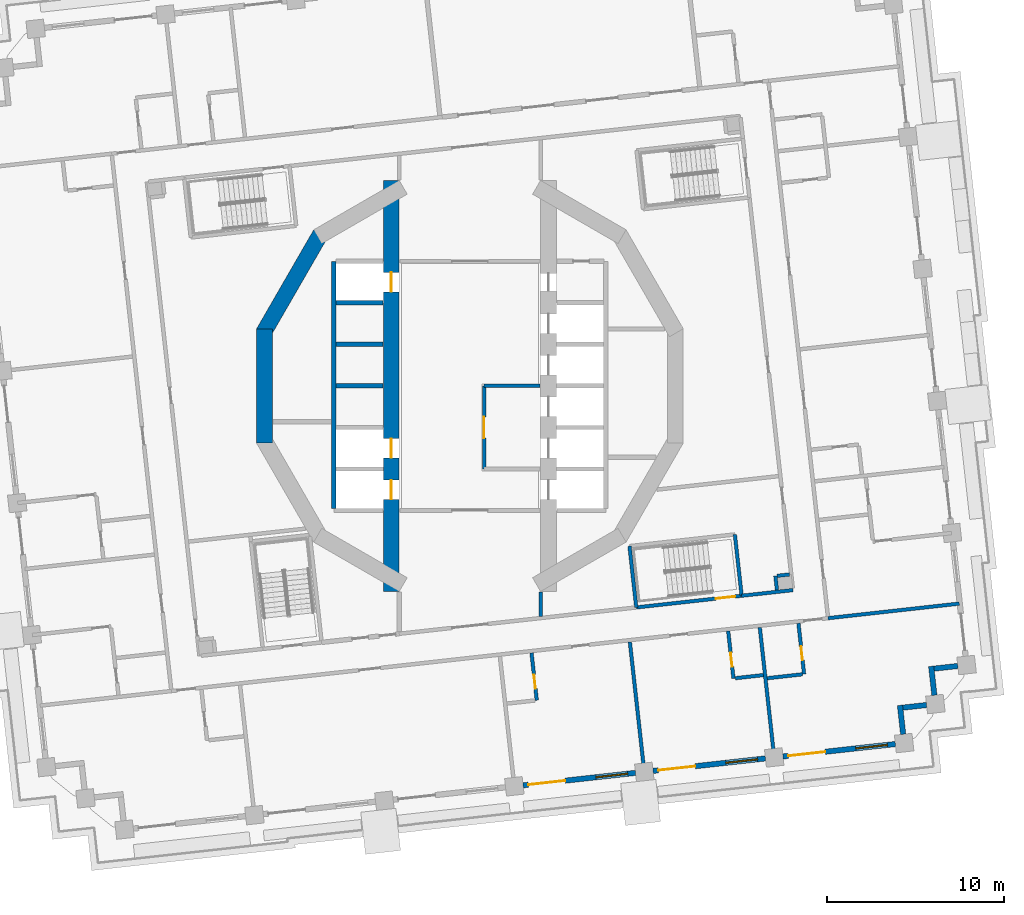
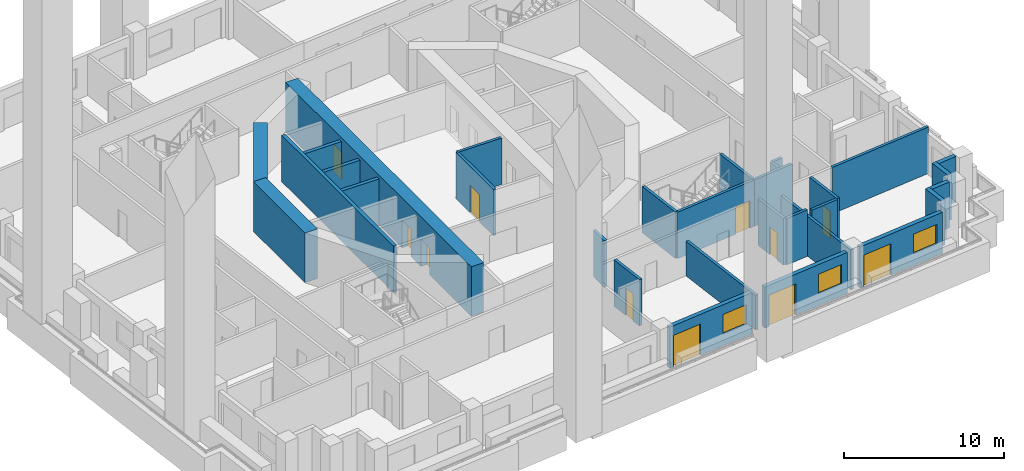
# One storey, part 5 of 20: 31 walls, 11 doors, 3 windows, 14 openings.
"""IFC4 building model written with IfcOpenShell, lengths in metres."""

from ifc_helpers import new_model, si_unit, direction, frame, frame_2d, origin, place, context, subcontext, project, spatial, rectangle, extrude, material, layer, layer_set, type_object, element, fill, save


model = new_model("IFC4")

# Units and contexts
model_context = context("Model", 3, precision=1e-05, world=origin(), true_north=direction((0.0, 1.0)))
body_context = subcontext(model_context, "Body", "Model", "MODEL_VIEW")
ifc_project = project(units=[si_unit("LENGTHUNIT", "METRE"), si_unit("AREAUNIT", "SQUARE_METRE"), si_unit("VOLUMEUNIT", "CUBIC_METRE"), si_unit("PLANEANGLEUNIT", "RADIAN"), si_unit("MASSUNIT", "GRAM", prefix="KILO")], contexts=[model_context])

# Site, building, storey
site_placement = place(None, origin())
site = spatial("IfcSite", under=ifc_project, at=site_placement, CompositionType="ELEMENT")
building_placement = place(site_placement, origin())
building = spatial("IfcBuilding", under=site, at=building_placement, Name="Cantera Rosa Tower", CompositionType="ELEMENT")
storey_placement = place(building_placement, frame((0.0, 0.0, 42.5)))
storey = spatial("IfcBuildingStorey", under=building, at=storey_placement, Name="L07", CompositionType="ELEMENT", Elevation=42.5)

# Walls
ifc_material_1 = material(Name="Gypsum board partition")
ifc_layer_1 = layer(ifc_material_1, 0.199951171875)
ifc_layer_set_1 = layer_set([ifc_layer_1], Name="CORRIDOR WALL 200 H3550")
wall_type_1 = type_object("IfcWallType", Name="CORRIDOR WALL 200 H3550", PredefinedType="PARTITIONING", material=ifc_layer_set_1)
wall_1_placement = place(storey_placement, frame((4.0, -13.038818359375, 0.0), z_axis=(0.0, 0.0, 1.0), x_axis=(0.0, 1.0, 0.0)))
element("IfcWall", 1, at=wall_1_placement, inside=storey, type_object=wall_type_1, Name="CORRIDOR WALL L07-063", PredefinedType="PARTITIONING", context=body_context, shape_type="SweptSolid", body=[
    extrude(rectangle(XDim=1.37158203125, YDim=0.199951171875, at=frame_2d((0.685791015625, 0.0))), origin(), (0.0, 0.0, 1.0), 3.550048828125),
])
wall_2_placement = place(storey_placement, frame((15.382080078125, -11.87548828125, 0.0), z_axis=(0.0, 0.0, 1.0), x_axis=(0.993899009794, 0.110293963256, 0.0)))
element("IfcWall", 2, at=wall_2_placement, inside=storey, type_object=wall_type_1, Name="CORRIDOR WALL L07-089", PredefinedType="PARTITIONING", context=body_context, shape_type="SweptSolid", body=[
    extrude(rectangle(XDim=2.921875, YDim=0.199951171875, at=frame_2d((1.4609375, 0.0))), origin(), (0.0, 0.0, 1.0), 3.550048828125),
])
ifc_material_2 = material(Name="Hollow clay masonry with cantera stone cladding", Category="masonry")
ifc_layer_2 = layer(ifc_material_2, 0.300048828125)
ifc_layer_set_2 = layer_set([ifc_layer_2], Name="EW-LOGGIA 300")
wall_type_2 = type_object("IfcWallType", Name="EW-LOGGIA 300", PredefinedType="SOLIDWALL", material=ifc_layer_set_2)
wall_3_placement = place(storey_placement, frame((24.5244140625, -19.71484375, 0.0), z_axis=(0.0, 0.0, 1.0), x_axis=(-0.110236638423, 0.993905369514, 0.0)))
element("IfcWall", 3, at=wall_3_placement, inside=storey, type_object=wall_type_2, Name="EN-L07-W29a", PredefinedType="SOLIDWALL", context=body_context, shape_type="SweptSolid", body=[
    extrude(rectangle(XDim=1.64990234375, YDim=0.300048828125, at=frame_2d((0.824951171875, 0.0))), origin(), (0.0, 0.0, 1.0), 3.5),
])
wall_4_placement = place(storey_placement, frame((24.508056640625, -18.20751953125, 0.0), z_axis=(0.0, 0.0, 1.0), x_axis=(0.993896959738, 0.110312435488, 0.0)))
element("IfcWall", 4, at=wall_4_placement, inside=storey, type_object=wall_type_2, Name="EN-L07-W29b", PredefinedType="SOLIDWALL", context=body_context, shape_type="SweptSolid", body=[
    extrude(rectangle(XDim=1.35009765625, YDim=0.300048828125, at=frame_2d((0.675048828125, 0.0))), origin(), (0.0, 0.0, 1.0), 3.5),
])
wall_5_placement = place(storey_placement, frame((26.291748046875, -17.506591796875, 0.0), z_axis=(0.0, 0.0, 1.0), x_axis=(-0.110382805355, 0.993889146878, 0.0)))
element("IfcWall", 5, at=wall_5_placement, inside=storey, type_object=wall_type_2, Name="EN-L07-W30a", PredefinedType="SOLIDWALL", context=body_context, shape_type="SweptSolid", body=[
    extrude(rectangle(XDim=1.64990234375, YDim=0.300048828125, at=frame_2d((0.824951171875, 0.0))), origin(), (0.0, 0.0, 1.0), 3.5),
])
wall_6_placement = place(storey_placement, frame((26.275146484375, -15.999267578125, 0.0), z_axis=(0.0, 0.0, 1.0), x_axis=(0.993896959738, 0.110312435488, 0.0)))
element("IfcWall", 6, at=wall_6_placement, inside=storey, type_object=wall_type_2, Name="EN-L07-W30b", PredefinedType="SOLIDWALL", context=body_context, shape_type="SweptSolid", body=[
    extrude(rectangle(XDim=1.35009765625, YDim=0.300048828125, at=frame_2d((0.675048828125, 0.0))), origin(), (0.0, 0.0, 1.0), 3.5),
])

# Wall, openings, window, door
ifc_material_3 = material(Name="Hollow clay masonry with cantera stone cladding", Category="masonry")
ifc_layer_3 = layer(ifc_material_3, 0.300048828125)
ifc_layer_set_3 = layer_set([ifc_layer_3], Name="EW-LOGGIA 300 H3140")
wall_type_3 = type_object("IfcWallType", Name="EW-LOGGIA 300 H3140", PredefinedType="SOLIDWALL", material=ifc_layer_set_3)
wall_7_placement = place(storey_placement, frame((3.011962890625, -22.605712890625, 0.0), z_axis=(0.0, 0.0, 1.0), x_axis=(0.993896288542, 0.110318482689, 0.0)))
wall_7 = element("IfcWall", 7, at=wall_7_placement, inside=storey, type_object=wall_type_3, Name="EN-L07-W26", PredefinedType="SOLIDWALL", context=body_context, shape_type="SweptSolid", body=[
    extrude(rectangle(XDim=6.400146484375, YDim=0.300048828125, at=frame_2d((3.2001953125, 0.0))), origin(), (0.0, 0.0, 1.0), 3.139892578125),
])
opening_1_placement = place(wall_7_placement, frame((0.300048828125, 0.0, 0.0)))
opening_1 = element("IfcOpeningElement", 8, at=opening_1_placement, cuts=wall_7, Name="Opening L07-TD35", PredefinedType="OPENING", context=body_context, shape_type="SweptSolid", body=[
    extrude(rectangle(XDim=2.10009765625, YDim=2.39990234375, at=frame_2d((1.050048828125, 1.199951171875))), frame((0.0, 0.159912109375, 0.0), z_axis=(0.0, -1.0, 0.0), x_axis=(1.0, 0.0, 0.0)), (0.0, 0.0, 1.0), 0.320068359375),
])
opening_2_placement = place(wall_7_placement, frame((4.14990234375, 0.0, 0.89990234375)))
opening_2 = element("IfcOpeningElement", 9, at=opening_2_placement, cuts=wall_7, Name="Opening L07-W36", PredefinedType="OPENING", context=body_context, shape_type="SweptSolid", body=[
    extrude(rectangle(XDim=1.800048828125, YDim=1.5, at=frame_2d((0.89990234375, 0.75))), frame((0.0, 0.159912109375, 0.0), z_axis=(0.0, -1.0, 0.0), x_axis=(1.0, 0.0, 0.0)), (0.0, 0.0, 1.0), 0.320068359375),
])
ifc_material_4 = material(Name="Aluminium frame with clear glass", Category="aluminium")
window_type = type_object("IfcWindowType", Name="Hotel room window 1800x1500", PartitioningType="DOUBLE_PANEL_VERTICAL", PredefinedType="WINDOW", material=ifc_material_4)
window_1_placement = place(opening_2_placement, origin())
window_1 = element("IfcWindow", 10, at=window_1_placement, inside=storey, type_object=window_type, Name="WINDOW L07-W36", OverallHeight=1.5, OverallWidth=1.800048828125, PartitioningType="SINGLE_PANEL", PredefinedType="WINDOW", context=body_context, shape_type="SweptSolid", body=[
    extrude(rectangle(XDim=1.800048828125, YDim=1.5, at=frame_2d((0.89990234375, 0.75))), frame((0.0, 0.030029296875, 0.0), z_axis=(0.0, -1.0, 0.0), x_axis=(1.0, 0.0, 0.0)), (0.0, 0.0, 1.0), 0.06005859375),
])
fill(opening_2, window_1)
ifc_material_5 = material(Name="Aluminium frame with clear glass", Category="aluminium")
door_type_1 = type_object("IfcDoorType", Name="TD-H 2100x2400", OperationType="NOTDEFINED", PredefinedType="DOOR", material=ifc_material_5)
door_1_placement = place(opening_1_placement, origin())
door_1 = element("IfcDoor", 11, at=door_1_placement, inside=storey, type_object=door_type_1, Name="LOGGIA DOOR L07-TD35", OperationType="SLIDING_TO_LEFT", OverallHeight=2.39990234375, OverallWidth=2.10009765625, PredefinedType="DOOR", context=body_context, shape_type="SweptSolid", body=[
    extrude(rectangle(XDim=2.10009765625, YDim=2.39990234375, at=frame_2d((1.050048828125, 1.199951171875))), frame((0.0, 0.02490234375, 0.0), z_axis=(0.0, -1.0, 0.0), x_axis=(1.0, 0.0, 0.0)), (0.0, 0.0, 1.0), 0.050048828125),
])
fill(opening_1, door_1)

wall_8_placement = place(storey_placement, frame((10.366943359375, -21.789306640625, 0.0), z_axis=(0.0, 0.0, 1.0), x_axis=(0.993900006422, 0.110284981906, 0.0)))
wall_8 = element("IfcWall", 12, at=wall_8_placement, inside=storey, type_object=wall_type_3, Name="EN-L07-W27", PredefinedType="SOLIDWALL", context=body_context, shape_type="SweptSolid", body=[
    extrude(rectangle(XDim=6.39990234375, YDim=0.300048828125, at=frame_2d((3.199951171875, 0.0))), origin(), (0.0, 0.0, 1.0), 3.139892578125),
])
opening_3_placement = place(wall_8_placement, frame((0.300048828125, 0.0, 0.0)))
opening_3 = element("IfcOpeningElement", 13, at=opening_3_placement, cuts=wall_8, Name="Opening L07-TD37", PredefinedType="OPENING", context=body_context, shape_type="SweptSolid", body=[
    extrude(rectangle(XDim=2.10009765625, YDim=2.39990234375, at=frame_2d((1.050048828125, 1.199951171875))), frame((0.0, 0.159912109375, 0.0), z_axis=(0.0, -1.0, 0.0), x_axis=(1.0, 0.0, 0.0)), (0.0, 0.0, 1.0), 0.320068359375),
])
opening_4_placement = place(wall_8_placement, frame((4.14990234375, 0.0, 0.89990234375)))
opening_4 = element("IfcOpeningElement", 14, at=opening_4_placement, cuts=wall_8, Name="Opening L07-W38", PredefinedType="OPENING", context=body_context, shape_type="SweptSolid", body=[
    extrude(rectangle(XDim=1.800048828125, YDim=1.5, at=frame_2d((0.89990234375, 0.75))), frame((0.0, 0.159912109375, 0.0), z_axis=(0.0, -1.0, 0.0), x_axis=(1.0, 0.0, 0.0)), (0.0, 0.0, 1.0), 0.320068359375),
])
window_2_placement = place(opening_4_placement, origin())
window_2 = element("IfcWindow", 15, at=window_2_placement, inside=storey, type_object=window_type, Name="WINDOW L07-W38", OverallHeight=1.5, OverallWidth=1.800048828125, PartitioningType="SINGLE_PANEL", PredefinedType="WINDOW", context=body_context, shape_type="SweptSolid", body=[
    extrude(rectangle(XDim=1.800048828125, YDim=1.5, at=frame_2d((0.89990234375, 0.75))), frame((0.0, 0.030029296875, 0.0), z_axis=(0.0, -1.0, 0.0), x_axis=(1.0, 0.0, 0.0)), (0.0, 0.0, 1.0), 0.06005859375),
])
fill(opening_4, window_2)
door_2_placement = place(opening_3_placement, origin())
door_2 = element("IfcDoor", 16, at=door_2_placement, inside=storey, type_object=door_type_1, Name="LOGGIA DOOR L07-TD37", OperationType="SLIDING_TO_LEFT", OverallHeight=2.39990234375, OverallWidth=2.10009765625, PredefinedType="DOOR", context=body_context, shape_type="SweptSolid", body=[
    extrude(rectangle(XDim=2.10009765625, YDim=2.39990234375, at=frame_2d((1.050048828125, 1.199951171875))), frame((0.0, 0.02490234375, 0.0), z_axis=(0.0, -1.0, 0.0), x_axis=(1.0, 0.0, 0.0)), (0.0, 0.0, 1.0), 0.050048828125),
])
fill(opening_3, door_2)

wall_9_placement = place(storey_placement, frame((17.7216796875, -20.97314453125, 0.0), z_axis=(0.0, 0.0, 1.0), x_axis=(0.993896288542, 0.110318482689, 0.0)))
wall_9 = element("IfcWall", 17, at=wall_9_placement, inside=storey, type_object=wall_type_3, Name="EN-L07-W28", PredefinedType="SOLIDWALL", context=body_context, shape_type="SweptSolid", body=[
    extrude(rectangle(XDim=6.400146484375, YDim=0.300048828125, at=frame_2d((3.2001953125, 0.0))), origin(), (0.0, 0.0, 1.0), 3.139892578125),
])
opening_5_placement = place(wall_9_placement, frame((0.300048828125, 0.0, 0.0)))
opening_5 = element("IfcOpeningElement", 18, at=opening_5_placement, cuts=wall_9, Name="Opening L07-TD39", PredefinedType="OPENING", context=body_context, shape_type="SweptSolid", body=[
    extrude(rectangle(XDim=2.10009765625, YDim=2.39990234375, at=frame_2d((1.050048828125, 1.199951171875))), frame((0.0, 0.159912109375, 0.0), z_axis=(0.0, -1.0, 0.0), x_axis=(1.0, 0.0, 0.0)), (0.0, 0.0, 1.0), 0.320068359375),
])
opening_6_placement = place(wall_9_placement, frame((4.14990234375, 0.0, 0.89990234375)))
opening_6 = element("IfcOpeningElement", 19, at=opening_6_placement, cuts=wall_9, Name="Opening L07-W40", PredefinedType="OPENING", context=body_context, shape_type="SweptSolid", body=[
    extrude(rectangle(XDim=1.800048828125, YDim=1.5, at=frame_2d((0.89990234375, 0.75))), frame((0.0, 0.159912109375, 0.0), z_axis=(0.0, -1.0, 0.0), x_axis=(1.0, 0.0, 0.0)), (0.0, 0.0, 1.0), 0.320068359375),
])
window_3_placement = place(opening_6_placement, origin())
window_3 = element("IfcWindow", 20, at=window_3_placement, inside=storey, type_object=window_type, Name="WINDOW L07-W40", OverallHeight=1.5, OverallWidth=1.800048828125, PartitioningType="SINGLE_PANEL", PredefinedType="WINDOW", context=body_context, shape_type="SweptSolid", body=[
    extrude(rectangle(XDim=1.800048828125, YDim=1.5, at=frame_2d((0.89990234375, 0.75))), frame((0.0, 0.030029296875, 0.0), z_axis=(0.0, -1.0, 0.0), x_axis=(1.0, 0.0, 0.0)), (0.0, 0.0, 1.0), 0.06005859375),
])
fill(opening_6, window_3)
door_3_placement = place(opening_5_placement, origin())
door_3 = element("IfcDoor", 21, at=door_3_placement, inside=storey, type_object=door_type_1, Name="LOGGIA DOOR L07-TD39", OperationType="SLIDING_TO_LEFT", OverallHeight=2.39990234375, OverallWidth=2.10009765625, PredefinedType="DOOR", context=body_context, shape_type="SweptSolid", body=[
    extrude(rectangle(XDim=2.10009765625, YDim=2.39990234375, at=frame_2d((1.050048828125, 1.199951171875))), frame((0.0, 0.02490234375, 0.0), z_axis=(0.0, -1.0, 0.0), x_axis=(1.0, 0.0, 0.0)), (0.0, 0.0, 1.0), 0.050048828125),
])
fill(opening_5, door_3)

# Wall, opening, door
ifc_material_6 = material(Name="Gypsum board partition")
ifc_layer_4 = layer(ifc_material_6, 0.199951171875)
ifc_layer_set_4 = layer_set([ifc_layer_4], Name="PARTITION 200 H3550")
wall_type_4 = type_object("IfcWallType", Name="PARTITION 200 H3550", PredefinedType="PARTITIONING", material=ifc_layer_set_4)
wall_10_placement = place(storey_placement, frame((3.48779296875, -15.107421875, 0.0), z_axis=(0.0, 0.0, 1.0), x_axis=(0.110312435488, -0.993896959738, 0.0)))
wall_10 = element("IfcWall", 22, at=wall_10_placement, inside=storey, type_object=wall_type_4, Name="PARTITION L07-059", PredefinedType="PARTITIONING", context=body_context, shape_type="SweptSolid", body=[
    extrude(rectangle(XDim=2.699951171875, YDim=0.199951171875, at=frame_2d((1.35009765625, 0.0))), origin(), (0.0, 0.0, 1.0), 3.550048828125),
])
opening_7_placement = place(wall_10_placement, frame((1.236083984375, 0.0, 0.0)))
opening_7 = element("IfcOpeningElement", 23, at=opening_7_placement, cuts=wall_10, Name="Opening L07-044", PredefinedType="OPENING", context=body_context, shape_type="SweptSolid", body=[
    extrude(rectangle(XDim=0.800048828125, YDim=2.10009765625, at=frame_2d((0.39990234375, 1.050048828125))), frame((0.0, 0.10986328125, 0.0), z_axis=(0.0, -1.0, 0.0), x_axis=(1.0, 0.0, 0.0)), (0.0, 0.0, 1.0), 0.219970703125),
])
ifc_material_7 = material(Name="Timber door leaf", Category="wood")
door_type_2 = type_object("IfcDoorType", Name="BATHROOM DOOR 800x2100", OperationType="NOTDEFINED", PredefinedType="DOOR", material=ifc_material_7)
door_4_placement = place(opening_7_placement, origin())
door_4 = element("IfcDoor", 24, at=door_4_placement, inside=storey, type_object=door_type_2, Name="DOOR L07-044", OperationType="NOTDEFINED", OverallHeight=2.10009765625, OverallWidth=0.800048828125, PredefinedType="DOOR", context=body_context, shape_type="SweptSolid", body=[
    extrude(rectangle(XDim=0.800048828125, YDim=2.10009765625, at=frame_2d((0.39990234375, 1.050048828125))), frame((0.0, 0.02490234375, 0.0), z_axis=(0.0, -1.0, 0.0), x_axis=(1.0, 0.0, 0.0)), (0.0, 0.0, 1.0), 0.050048828125),
])
fill(opening_7, door_4)

wall_11_placement = place(storey_placement, frame((14.917236328125, -16.555419921875, 0.0), z_axis=(0.0, 0.0, 1.0), x_axis=(-0.110312435488, 0.993896959738, 0.0)))
wall_11 = element("IfcWall", 25, at=wall_11_placement, inside=storey, type_object=wall_type_4, Name="PARTITION L07-085", PredefinedType="PARTITIONING", context=body_context, shape_type="SweptSolid", body=[
    extrude(rectangle(XDim=2.699951171875, YDim=0.199951171875, at=frame_2d((1.35009765625, 0.0))), origin(), (0.0, 0.0, 1.0), 3.550048828125),
])
opening_8_placement = place(wall_11_placement, frame((0.6640625, 0.0, 0.0)))
opening_8 = element("IfcOpeningElement", 26, at=opening_8_placement, cuts=wall_11, Name="Opening L07-042", PredefinedType="OPENING", context=body_context, shape_type="SweptSolid", body=[
    extrude(rectangle(XDim=0.800048828125, YDim=2.10009765625, at=frame_2d((0.39990234375, 1.050048828125))), frame((0.0, 0.10986328125, 0.0), z_axis=(0.0, -1.0, 0.0), x_axis=(1.0, 0.0, 0.0)), (0.0, 0.0, 1.0), 0.219970703125),
])
door_5_placement = place(opening_8_placement, origin())
door_5 = element("IfcDoor", 27, at=door_5_placement, inside=storey, type_object=door_type_2, Name="DOOR L07-042", OperationType="NOTDEFINED", OverallHeight=2.10009765625, OverallWidth=0.800048828125, PredefinedType="DOOR", context=body_context, shape_type="SweptSolid", body=[
    extrude(rectangle(XDim=0.800048828125, YDim=2.10009765625, at=frame_2d((0.39990234375, 1.050048828125))), frame((0.0, 0.02490234375, 0.0), z_axis=(0.0, -1.0, 0.0), x_axis=(1.0, 0.0, 0.0)), (0.0, 0.0, 1.0), 0.050048828125),
])
fill(opening_8, door_5)

# Walls
wall_12_placement = place(storey_placement, frame((16.60693359375, -16.367919921875, 0.0), z_axis=(0.0, 0.0, 1.0), x_axis=(-0.99389675276, -0.110314300314, 0.0)))
element("IfcWall", 28, at=wall_12_placement, inside=storey, type_object=wall_type_4, Name="PARTITION L07-094", PredefinedType="PARTITIONING", context=body_context, shape_type="SweptSolid", body=[
    extrude(rectangle(XDim=1.60009765625, YDim=0.199951171875, at=frame_2d((0.800048828125, 0.0))), origin(), (0.0, 0.0, 1.0), 3.550048828125),
])
wall_13_placement = place(storey_placement, frame((17.292236328125, -10.758056640625, 0.0), z_axis=(0.0, 0.0, 1.0), x_axis=(0.110465018303, -0.993880012744, 0.0)))
element("IfcWall", 29, at=wall_13_placement, inside=storey, type_object=wall_type_4, Name="PARTITION L07-099", PredefinedType="PARTITIONING", context=body_context, shape_type="SweptSolid", body=[
    extrude(rectangle(XDim=0.800048828125, YDim=0.199951171875, at=frame_2d((0.39990234375, 0.0))), origin(), (0.0, 0.0, 1.0), 3.550048828125),
])
wall_14_placement = place(storey_placement, frame((18.08740234375, -10.669921875, 0.0), z_axis=(0.0, 0.0, 1.0), x_axis=(-0.993909225707, -0.110201865026, 0.0)))
element("IfcWall", 30, at=wall_14_placement, inside=storey, type_object=wall_type_4, Name="PARTITION L07-102", PredefinedType="PARTITIONING", context=body_context, shape_type="SweptSolid", body=[
    extrude(rectangle(XDim=0.699951171875, YDim=0.199951171875, at=frame_2d((0.35009765625, 0.0))), origin(), (0.0, 0.0, 1.0), 3.550048828125),
])

# Wall, opening, door
wall_15_placement = place(storey_placement, frame((18.59521484375, -13.4306640625, 0.0), z_axis=(0.0, 0.0, 1.0), x_axis=(0.110283685989, -0.993900150219, 0.0)))
wall_15 = element("IfcWall", 31, at=wall_15_placement, inside=storey, type_object=wall_type_4, Name="PARTITION L07-104", PredefinedType="PARTITIONING", context=body_context, shape_type="SweptSolid", body=[
    extrude(rectangle(XDim=2.89990234375, YDim=0.199951171875, at=frame_2d((1.449951171875, 0.0))), origin(), (0.0, 0.0, 1.0), 3.550048828125),
])
opening_9_placement = place(wall_15_placement, frame((1.300048828125, 0.0, 0.0)))
opening_9 = element("IfcOpeningElement", 32, at=opening_9_placement, cuts=wall_15, Name="Opening L07-048", PredefinedType="OPENING", context=body_context, shape_type="SweptSolid", body=[
    extrude(rectangle(XDim=0.800048828125, YDim=2.10009765625, at=frame_2d((0.39990234375, 1.050048828125))), frame((0.0, 0.10986328125, 0.0), z_axis=(0.0, -1.0, 0.0), x_axis=(1.0, 0.0, 0.0)), (0.0, 0.0, 1.0), 0.219970703125),
])
door_6_placement = place(opening_9_placement, origin())
door_6 = element("IfcDoor", 33, at=door_6_placement, inside=storey, type_object=door_type_2, Name="DOOR L07-048", OperationType="NOTDEFINED", OverallHeight=2.10009765625, OverallWidth=0.800048828125, PredefinedType="DOOR", context=body_context, shape_type="SweptSolid", body=[
    extrude(rectangle(XDim=0.800048828125, YDim=2.10009765625, at=frame_2d((0.39990234375, 1.050048828125))), frame((0.0, 0.02490234375, 0.0), z_axis=(0.0, -1.0, 0.0), x_axis=(1.0, 0.0, 0.0)), (0.0, 0.0, 1.0), 0.050048828125),
])
fill(opening_9, door_6)

# Walls
wall_16_placement = place(storey_placement, frame((18.815673828125, -16.323974609375, 0.0), z_axis=(0.0, 0.0, 1.0), x_axis=(-0.993892663362, -0.110351138256, 0.0)))
element("IfcWall", 34, at=wall_16_placement, inside=storey, type_object=wall_type_4, Name="PARTITION L07-106", PredefinedType="PARTITIONING", context=body_context, shape_type="SweptSolid", body=[
    extrude(rectangle(XDim=2.0, YDim=0.199951171875, at=frame_2d((1.0, 0.0))), origin(), (0.0, 0.0, 1.0), 3.550048828125),
])
ifc_material_8 = material(Name="Gypsum board partition")
ifc_layer_5 = layer(ifc_material_8, 0.199951171875)
ifc_layer_set_5 = layer_set([ifc_layer_5], Name="PARTY WALL 200 H2650")
wall_type_5 = type_object("IfcWallType", Name="PARTY WALL 200 H2650", PredefinedType="PARTITIONING", material=ifc_layer_set_5)
wall_17_placement = place(storey_placement, frame((9.0537109375, -14.48974609375, 0.0), z_axis=(0.0, 0.0, 1.0), x_axis=(0.11031154238, -0.993897058864, 0.0)))
element("IfcWall", 35, at=wall_17_placement, inside=storey, type_object=wall_type_5, Name="PARTY WALL L07-076", PredefinedType="PARTITIONING", context=body_context, shape_type="SweptSolid", body=[
    extrude(rectangle(XDim=7.369873046875, YDim=0.199951171875, at=frame_2d((3.68505859375, 0.0))), origin(), (0.0, 0.0, 1.0), 2.64990234375),
])
ifc_material_9 = material(Name="Gypsum board partition")
ifc_layer_6 = layer(ifc_material_9, 0.199951171875)
ifc_layer_set_6 = layer_set([ifc_layer_6], Name="PARTY WALL 200 H3050")
wall_type_6 = type_object("IfcWallType", Name="PARTY WALL 200 H3050", PredefinedType="PARTITIONING", material=ifc_layer_set_6)
wall_18_placement = place(storey_placement, frame((16.408447265625, -13.67333984375, 0.0), z_axis=(0.0, 0.0, 1.0), x_axis=(0.11031154238, -0.993897058864, 0.0)))
element("IfcWall", 36, at=wall_18_placement, inside=storey, type_object=wall_type_6, Name="PARTY WALL L07-093", PredefinedType="PARTITIONING", context=body_context, shape_type="SweptSolid", body=[
    extrude(rectangle(XDim=7.369873046875, YDim=0.199951171875, at=frame_2d((3.68505859375, 0.0))), origin(), (0.0, 0.0, 1.0), 3.050048828125),
])
ifc_material_10 = material(Name="Gypsum board partition")
ifc_layer_7 = layer(ifc_material_10, 0.199951171875)
ifc_layer_set_7 = layer_set([ifc_layer_7], Name="PARTY WALL 200 H3550")
wall_type_7 = type_object("IfcWallType", Name="PARTY WALL 200 H3550", PredefinedType="PARTITIONING", material=ifc_layer_set_7)
wall_19_placement = place(storey_placement, frame((27.697998046875, -12.319580078125, 0.0), z_axis=(0.0, 0.0, 1.0), x_axis=(-0.993894093242, -0.110338259085, 0.0)))
element("IfcWall", 37, at=wall_19_placement, inside=storey, type_object=wall_type_7, Name="PARTY WALL L07-116", PredefinedType="PARTITIONING", context=body_context, shape_type="SweptSolid", body=[
    extrude(rectangle(XDim=7.469970703125, YDim=0.199951171875, at=frame_2d((3.73486328125, 0.0))), origin(), (0.0, 0.0, 1.0), 3.550048828125),
])
ifc_material_11 = material(Name="Concrete C70/85", Category="concrete")
ifc_layer_8 = layer(ifc_material_11, 0.89990234375)
ifc_layer_set_8 = layer_set([ifc_layer_8], Name="RC CORE WALL 900 C70/85")
wall_type_8 = type_object("IfcWallType", Name="RC CORE WALL 900 C70/85", PredefinedType="SHEAR", material=ifc_layer_set_8)
wall_20_placement = place(storey_placement, frame((-11.6240234375, -3.2353515625, 0.0), z_axis=(0.0, 0.0, 1.0), x_axis=(0.0, 1.0, 0.0)))
element("IfcWall", 38, at=wall_20_placement, inside=storey, type_object=wall_type_8, Name="CW-W3 L07", PredefinedType="SHEAR", context=body_context, shape_type="SweptSolid", body=[
    extrude(rectangle(XDim=6.470703125, YDim=0.89990234375, at=frame_2d((3.2353515625, 0.0))), origin(), (0.0, 0.0, 1.0), 3.800048828125),
])
wall_21_placement = place(storey_placement, frame((-11.684326171875, 3.01025390625, 0.0), z_axis=(0.0, 0.0, 1.0), x_axis=(0.499990282633, 0.866031014036, 0.0)))
element("IfcWall", 39, at=wall_21_placement, inside=storey, type_object=wall_type_8, Name="CW-W4 L07", PredefinedType="SHEAR", context=body_context, shape_type="SweptSolid", body=[
    extrude(rectangle(XDim=6.470458984375, YDim=0.89990234375, at=frame_2d((3.2353515625, 0.0))), origin(), (0.0, 0.0, 1.0), 3.800048828125),
])

# Wall, openings, doors
wall_22_placement = place(storey_placement, frame((-4.449951171875, 11.632568359375, 0.0), z_axis=(0.0, 0.0, 1.0), x_axis=(0.0, -1.0, 0.0)))
wall_22 = element("IfcWall", 40, at=wall_22_placement, inside=storey, type_object=wall_type_8, Name="CW-W6 L07", PredefinedType="SHEAR", context=body_context, shape_type="SweptSolid", body=[
    extrude(rectangle(XDim=23.26513671875, YDim=0.89990234375, at=frame_2d((11.632568359375, 0.0))), origin(), (0.0, 0.0, 1.0), 3.800048828125),
])
opening_10_placement = place(wall_22_placement, frame((14.607421875, 0.0, 0.0)))
opening_10 = element("IfcOpeningElement", 41, at=opening_10_placement, cuts=wall_22, Name="Opening LD-P3-L07", PredefinedType="OPENING", context=body_context, shape_type="SweptSolid", body=[
    extrude(rectangle(XDim=1.10009765625, YDim=2.10009765625, at=frame_2d((0.550048828125, 1.050048828125))), frame((0.0, 0.4599609375, 0.0), z_axis=(0.0, -1.0, 0.0), x_axis=(1.0, 0.0, 0.0)), (0.0, 0.0, 1.0), 0.919921875),
])
opening_11_placement = place(wall_22_placement, frame((16.95751953125, 0.0, 0.0)))
opening_11 = element("IfcOpeningElement", 42, at=opening_11_placement, cuts=wall_22, Name="Opening LD-P4-L07", PredefinedType="OPENING", context=body_context, shape_type="SweptSolid", body=[
    extrude(rectangle(XDim=1.10009765625, YDim=2.10009765625, at=frame_2d((0.550048828125, 1.050048828125))), frame((0.0, 0.4599609375, 0.0), z_axis=(0.0, -1.0, 0.0), x_axis=(1.0, 0.0, 0.0)), (0.0, 0.0, 1.0), 0.919921875),
])
opening_12_placement = place(wall_22_placement, frame((5.20751953125, 0.0, 0.0)))
opening_12 = element("IfcOpeningElement", 43, at=opening_12_placement, cuts=wall_22, Name="Opening LD-P5-L07", PredefinedType="OPENING", context=body_context, shape_type="SweptSolid", body=[
    extrude(rectangle(XDim=1.10009765625, YDim=2.10009765625, at=frame_2d((0.550048828125, 1.050048828125))), frame((0.0, 0.4599609375, 0.0), z_axis=(0.0, -1.0, 0.0), x_axis=(1.0, 0.0, 0.0)), (0.0, 0.0, 1.0), 0.919921875),
])
ifc_material_12 = material(Name="Steel S355J2 (EN 10025-2)", Category="steel")
door_type_3 = type_object("IfcDoorType", Name="LANDING DOOR 1100x2100", OperationType="NOTDEFINED", PredefinedType="DOOR", material=ifc_material_12)
door_7_placement = place(opening_10_placement, origin())
door_7 = element("IfcDoor", 44, at=door_7_placement, inside=storey, type_object=door_type_3, Name="LANDING DOOR P3 L07", OperationType="SLIDING_TO_LEFT", OverallHeight=2.10009765625, OverallWidth=1.10009765625, PredefinedType="DOOR", context=body_context, shape_type="SweptSolid", body=[
    extrude(rectangle(XDim=1.10009765625, YDim=2.10009765625, at=frame_2d((0.550048828125, 1.050048828125))), frame((0.0, 0.02490234375, 0.0), z_axis=(0.0, -1.0, 0.0), x_axis=(1.0, 0.0, 0.0)), (0.0, 0.0, 1.0), 0.050048828125),
])
fill(opening_10, door_7)
door_8_placement = place(opening_11_placement, origin())
door_8 = element("IfcDoor", 45, at=door_8_placement, inside=storey, type_object=door_type_3, Name="LANDING DOOR P4 L07", OperationType="SLIDING_TO_LEFT", OverallHeight=2.10009765625, OverallWidth=1.10009765625, PredefinedType="DOOR", context=body_context, shape_type="SweptSolid", body=[
    extrude(rectangle(XDim=1.10009765625, YDim=2.10009765625, at=frame_2d((0.550048828125, 1.050048828125))), frame((0.0, 0.02490234375, 0.0), z_axis=(0.0, -1.0, 0.0), x_axis=(1.0, 0.0, 0.0)), (0.0, 0.0, 1.0), 0.050048828125),
])
fill(opening_11, door_8)
door_9_placement = place(opening_12_placement, origin())
door_9 = element("IfcDoor", 46, at=door_9_placement, inside=storey, type_object=door_type_3, Name="LANDING DOOR P5 L07", OperationType="SLIDING_TO_LEFT", OverallHeight=2.10009765625, OverallWidth=1.10009765625, PredefinedType="DOOR", context=body_context, shape_type="SweptSolid", body=[
    extrude(rectangle(XDim=1.10009765625, YDim=2.10009765625, at=frame_2d((0.550048828125, 1.050048828125))), frame((0.0, 0.02490234375, 0.0), z_axis=(0.0, -1.0, 0.0), x_axis=(1.0, 0.0, 0.0)), (0.0, 0.0, 1.0), 0.050048828125),
])
fill(opening_12, door_9)

# Walls
ifc_material_13 = material(Name="Masonry blockwork", Category="masonry")
ifc_layer_9 = layer(ifc_material_13, 0.25)
ifc_layer_set_9 = layer_set([ifc_layer_9], Name="SHAFT WALL 250 H3550")
wall_type_9 = type_object("IfcWallType", Name="SHAFT WALL 250 H3550", PredefinedType="SOLIDWALL", material=ifc_layer_set_9)
for number, where, z_axis, x_axis, name in (
    (47, (-7.574951171875, 0.0, 0.0), (0.0, 0.0, 1.0), (1.0, 0.0, 0.0), "SHAFT WALL L07-046"),
    (48, (-7.574951171875, 2.35009765625, 0.0), (0.0, 0.0, 1.0), (1.0, 0.0, 0.0), "SHAFT WALL L07-047"),
    (49, (-7.574951171875, 4.699951171875, 0.0), (0.0, 0.0, 1.0), (1.0, 0.0, 0.0), "SHAFT WALL L07-048"),
):
    element("IfcWall", number, at=place(storey_placement, frame(where, z_axis=z_axis, x_axis=x_axis)), inside=storey, type_object=wall_type_9, Name=name, PredefinedType="SOLIDWALL", context=body_context, shape_type="SweptSolid", body=[
        extrude(rectangle(XDim=2.64501953125, YDim=0.25, at=frame_2d((1.322509765625, 0.0))), origin(), (0.0, 0.0, 1.0), 3.550048828125),
    ])
wall_23_placement = place(storey_placement, frame((-7.699951171875, 7.050048828125, 0.0), z_axis=(0.0, 0.0, 1.0), x_axis=(0.0, -1.0, 0.0)))
element("IfcWall", 50, at=wall_23_placement, inside=storey, type_object=wall_type_9, Name="SHAFT WALL L07-049", PredefinedType="SOLIDWALL", context=body_context, shape_type="SweptSolid", body=[
    extrude(rectangle(XDim=13.97998046875, YDim=0.25, at=frame_2d((6.989990234375, 0.0))), origin(), (0.0, 0.0, 1.0), 3.550048828125),
])

# Wall, opening, door
ifc_material_14 = material(Name="Concrete C50/60", Category="concrete")
ifc_layer_10 = layer(ifc_material_14, 0.199951171875)
ifc_layer_set_10 = layer_set([ifc_layer_10], Name="STAIR WALL 200 H3550")
wall_type_10 = type_object("IfcWallType", Name="STAIR WALL 200 H3550", PredefinedType="SOLIDWALL", material=ifc_layer_set_10)
wall_24_placement = place(storey_placement, frame((0.800048828125, -4.699951171875, 0.0), z_axis=(0.0, 0.0, 1.0), x_axis=(0.0, 1.0, 0.0)))
wall_24 = element("IfcWall", 51, at=wall_24_placement, inside=storey, type_object=wall_type_10, Name="STAIR WALL L07-056", PredefinedType="SOLIDWALL", context=body_context, shape_type="SweptSolid", body=[
    extrude(rectangle(XDim=4.699951171875, YDim=0.199951171875, at=frame_2d((2.35009765625, 0.0))), origin(), (0.0, 0.0, 1.0), 3.550048828125),
])
opening_13_placement = place(wall_24_placement, frame((1.75, 0.0, 0.0)))
opening_13 = element("IfcOpeningElement", 52, at=opening_13_placement, cuts=wall_24, Name="Opening L07-014", PredefinedType="OPENING", context=body_context, shape_type="SweptSolid", body=[
    extrude(rectangle(XDim=1.199951171875, YDim=2.10009765625, at=frame_2d((0.60009765625, 1.050048828125))), frame((0.0, 0.10986328125, 0.0), z_axis=(0.0, -1.0, 0.0), x_axis=(1.0, 0.0, 0.0)), (0.0, 0.0, 1.0), 0.219970703125),
])
ifc_material_15 = material(Name="Steel S355J2 (EN 10025-2)", Category="steel")
door_type_4 = type_object("IfcDoorType", Name="FIRE DOOR 1200x2100", OperationType="NOTDEFINED", PredefinedType="DOOR", material=ifc_material_15)
door_10_placement = place(opening_13_placement, origin())
door_10 = element("IfcDoor", 53, at=door_10_placement, inside=storey, type_object=door_type_4, Name="DOOR L07-014", OperationType="NOTDEFINED", OverallHeight=2.10009765625, OverallWidth=1.199951171875, PredefinedType="DOOR", context=body_context, shape_type="SweptSolid", body=[
    extrude(rectangle(XDim=1.199951171875, YDim=2.10009765625, at=frame_2d((0.60009765625, 1.050048828125))), frame((0.0, 0.02490234375, 0.0), z_axis=(0.0, -1.0, 0.0), x_axis=(1.0, 0.0, 0.0)), (0.0, 0.0, 1.0), 0.050048828125),
])
fill(opening_13, door_10)

# Walls
wall_25_placement = place(storey_placement, frame((0.800048828125, 0.0, 0.0), z_axis=(0.0, 0.0, 1.0), x_axis=(1.0, 0.0, 0.0)))
element("IfcWall", 54, at=wall_25_placement, inside=storey, type_object=wall_type_10, Name="STAIR WALL L07-057", PredefinedType="SOLIDWALL", context=body_context, shape_type="SweptSolid", body=[
    extrude(rectangle(XDim=3.169921875, YDim=0.199951171875, at=frame_2d((1.5849609375, 0.0))), origin(), (0.0, 0.0, 1.0), 3.550048828125),
])
wall_26_placement = place(storey_placement, frame((9.033447265625, -9.066162109375, 0.0), z_axis=(0.0, 0.0, 1.0), x_axis=(0.11030110325, -0.993898217436, 0.0)))
element("IfcWall", 55, at=wall_26_placement, inside=storey, type_object=wall_type_10, Name="STAIR WALL L07-075", PredefinedType="SOLIDWALL", context=body_context, shape_type="SweptSolid", body=[
    extrude(rectangle(XDim=3.49267578125, YDim=0.199951171875, at=frame_2d((1.746337890625, 0.0))), origin(), (0.0, 0.0, 1.0), 3.550048828125),
])

# Wall, opening, door
wall_27_placement = place(storey_placement, frame((9.418701171875, -12.53759765625, 0.0), z_axis=(0.0, 0.0, 1.0), x_axis=(0.993892663362, 0.110351138256, 0.0)))
wall_27 = element("IfcWall", 56, at=wall_27_placement, inside=storey, type_object=wall_type_10, Name="STAIR WALL L07-077", PredefinedType="SOLIDWALL", context=body_context, shape_type="SweptSolid", body=[
    extrude(rectangle(XDim=6.0, YDim=0.199951171875, at=frame_2d((3.0, 0.0))), origin(), (0.0, 0.0, 1.0), 3.550048828125),
])
opening_14_placement = place(wall_27_placement, frame((4.52490234375, 0.0, 0.0)))
opening_14 = element("IfcOpeningElement", 57, at=opening_14_placement, cuts=wall_27, Name="Opening L07-004", PredefinedType="OPENING", context=body_context, shape_type="SweptSolid", body=[
    extrude(rectangle(XDim=1.10009765625, YDim=2.10009765625, at=frame_2d((0.550048828125, 1.050048828125))), frame((0.0, 0.10986328125, 0.0), z_axis=(0.0, -1.0, 0.0), x_axis=(1.0, 0.0, 0.0)), (0.0, 0.0, 1.0), 0.219970703125),
])
ifc_material_16 = material(Name="Steel S355J2 (EN 10025-2)", Category="steel")
door_type_5 = type_object("IfcDoorType", Name="STAIR DOOR 1100x2100", OperationType="NOTDEFINED", PredefinedType="DOOR", material=ifc_material_16)
door_11_placement = place(opening_14_placement, origin())
door_11 = element("IfcDoor", 58, at=door_11_placement, inside=storey, type_object=door_type_5, Name="DOOR L07-004", OperationType="NOTDEFINED", OverallHeight=2.10009765625, OverallWidth=1.10009765625, PredefinedType="DOOR", context=body_context, shape_type="SweptSolid", body=[
    extrude(rectangle(XDim=1.10009765625, YDim=2.10009765625, at=frame_2d((0.550048828125, 1.050048828125))), frame((0.0, 0.02490234375, 0.0), z_axis=(0.0, -1.0, 0.0), x_axis=(1.0, 0.0, 0.0)), (0.0, 0.0, 1.0), 0.050048828125),
])
fill(opening_14, door_11)

# Wall
wall_28_placement = place(storey_placement, frame((15.382080078125, -11.87548828125, 0.0), z_axis=(0.0, 0.0, 1.0), x_axis=(-0.110308766705, 0.993897366929, 0.0)))
element("IfcWall", 59, at=wall_28_placement, inside=storey, type_object=wall_type_10, Name="STAIR WALL L07-088", PredefinedType="SOLIDWALL", context=body_context, shape_type="SweptSolid", body=[
    extrude(rectangle(XDim=3.492431640625, YDim=0.199951171875, at=frame_2d((1.74609375, 0.0))), origin(), (0.0, 0.0, 1.0), 3.550048828125),
])

save(model, "model.ifc")
